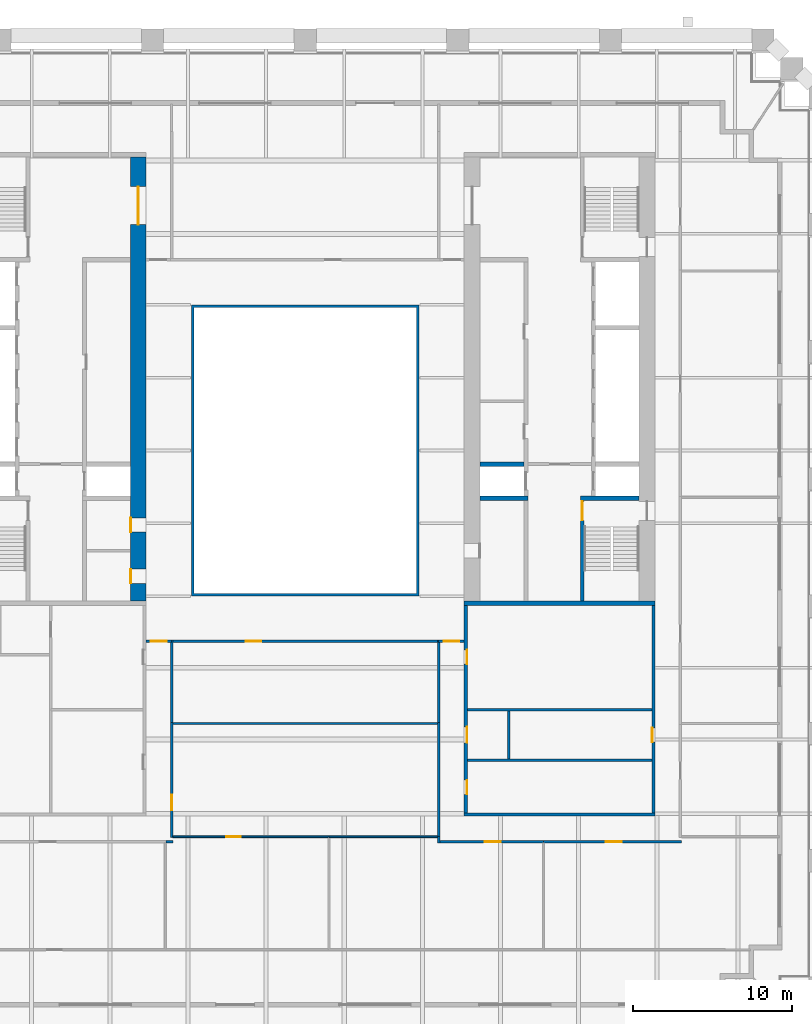
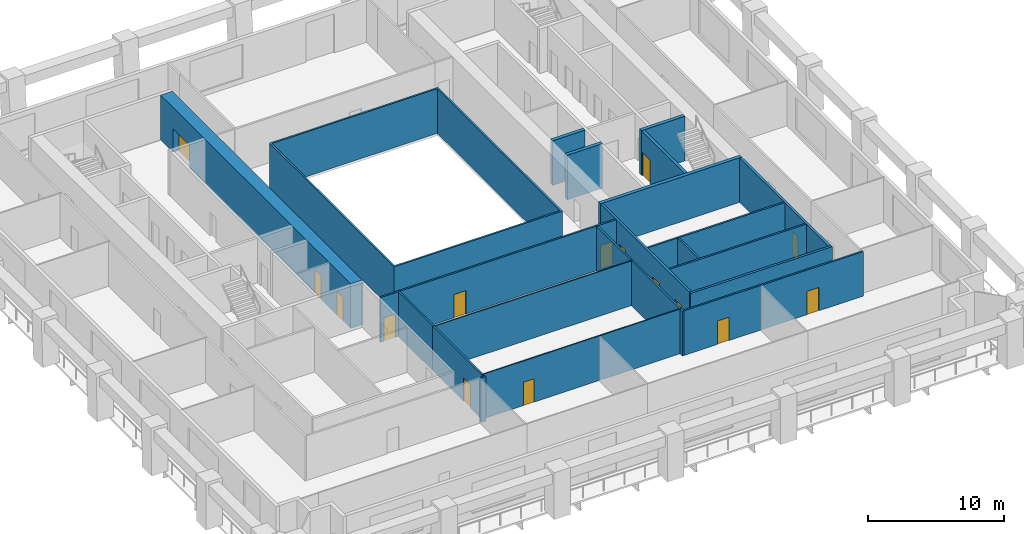
# One storey, part 5 of 10: 27 walls, 15 doors, 15 openings.
"""IFC4 building model written with IfcOpenShell, lengths in metres."""

from ifc_helpers import new_model, si_unit, direction, frame, frame_2d, origin, place, context, subcontext, project, spatial, polyline, rectangle, outline, extrude, material, layer, layer_set, type_object, element, fill, save


model = new_model("IFC4")

# Units and contexts
model_context = context("Model", 3, precision=1e-05, world=origin(), true_north=direction((0.0, 1.0)))
body_context = subcontext(model_context, "Body", "Model", "MODEL_VIEW")
ifc_project = project(units=[si_unit("LENGTHUNIT", "METRE"), si_unit("AREAUNIT", "SQUARE_METRE"), si_unit("VOLUMEUNIT", "CUBIC_METRE"), si_unit("PLANEANGLEUNIT", "RADIAN"), si_unit("MASSUNIT", "GRAM", prefix="KILO")], contexts=[model_context])

# Site, building, storey
site_placement = place(None, origin())
site = spatial("IfcSite", under=ifc_project, at=site_placement, CompositionType="ELEMENT")
building_placement = place(site_placement, origin())
building = spatial("IfcBuilding", under=site, at=building_placement, Name="Ogive Exchange Tower", CompositionType="ELEMENT")
storey_placement = place(building_placement, frame((0.0, 0.0, 48.0)))
storey = spatial("IfcBuildingStorey", under=building, at=storey_placement, Name="L09", CompositionType="ELEMENT", Elevation=48.0)

# Walls
ifc_material_1 = material(Name="Gypsum board partition")
ifc_layer_1 = layer(ifc_material_1, 0.14990234375)
ifc_layer_set_1 = layer_set([ifc_layer_1], Name="Core room partition 150 gypsum")
wall_type_1 = type_object("IfcWallType", Name="Core room partition 150 gypsum", PredefinedType="PARTITIONING", material=ifc_layer_set_1)
for number, where, z_axis, x_axis, name in (
    (1, (10.199951171875, -9.300048828125, 0.0), (0.0, 0.0, 1.0), (1.0, 0.0, 0.0), "E annex S cross wall"),
    (2, (10.199951171875, -12.47509765625, 0.0), (0.0, 0.0, 1.0), (1.0, 0.0, 0.0), "E annex S wc strip wall 00"),
):
    element("IfcWall", number, at=place(storey_placement, frame(where, z_axis=z_axis, x_axis=x_axis)), inside=storey, type_object=wall_type_1, Name=name, PredefinedType="PARTITIONING", context=body_context, shape_type="SweptSolid", body=[
        extrude(rectangle(XDim=11.60009765625, YDim=0.14990234375, at=frame_2d((5.800048828125, 0.0))), origin(), (0.0, 0.0, 1.0), 4.0),
    ])
wall_1_placement = place(storey_placement, frame((12.800048828125, -12.39990234375, 0.0), z_axis=(0.0, 0.0, 1.0), x_axis=(0.0, 1.0, 0.0)))
element("IfcWall", 3, at=wall_1_placement, inside=storey, type_object=wall_type_1, Name="E annex S wc partition 00", PredefinedType="PARTITIONING", context=body_context, shape_type="SweptSolid", body=[
    extrude(rectangle(XDim=3.02490234375, YDim=0.14990234375, at=frame_2d((1.512451171875, 0.0))), origin(), (0.0, 0.0, 1.0), 4.0),
])
ifc_material_2 = material(Name="Fire partition EI 60 150")
ifc_layer_2 = layer(ifc_material_2, 0.14990234375)
ifc_layer_set_2 = layer_set([ifc_layer_2], Name="Fire partition EI 60 150")
wall_type_2 = type_object("IfcWallType", Name="Fire partition EI 60 150", PredefinedType="PARTITIONING", material=ifc_layer_set_2)
wall_2_placement = place(storey_placement, frame((-8.324951171875, -17.60009765625, 0.0), z_axis=(0.0, 0.0, 1.0), x_axis=(-1.0, 0.0, 0.0)))
element("IfcWall", 4, at=wall_2_placement, inside=storey, type_object=wall_type_2, Name="L09-PWL-017", PredefinedType="PARTITIONING", context=body_context, shape_type="SweptSolid", body=[
    extrude(rectangle(XDim=0.425048828125, YDim=0.14990234375, at=frame_2d((0.21240234375, 0.0))), origin(), (0.0, 0.0, 1.0), 4.0),
])

# Wall, opening, door
wall_3_placement = place(storey_placement, frame((-8.39990234375, -10.1201171875, 0.0), z_axis=(0.0, 0.0, 1.0), x_axis=(0.0, -1.0, 0.0)))
wall_3 = element("IfcWall", 5, at=wall_3_placement, inside=storey, type_object=wall_type_2, Name="L09-PWL-018", PredefinedType="PARTITIONING", context=body_context, shape_type="SweptSolid", body=[
    extrude(rectangle(XDim=7.219970703125, YDim=0.14990234375, at=frame_2d((3.60986328125, 0.0))), origin(), (0.0, 0.0, 1.0), 4.0),
])
opening_1_placement = place(wall_3_placement, frame((4.52001953125, 0.0, 0.0)))
opening_1 = element("IfcOpeningElement", 6, at=opening_1_placement, cuts=wall_3, Name="Opening L09-I12", PredefinedType="OPENING", context=body_context, shape_type="SweptSolid", body=[
    extrude(rectangle(XDim=1.0, YDim=2.10009765625, at=frame_2d((0.5, 1.050048828125))), frame((0.0, 0.0849609375, 0.0), z_axis=(0.0, -1.0, 0.0), x_axis=(1.0, 0.0, 0.0)), (0.0, 0.0, 1.0), 0.169921875),
])
ifc_material_3 = material(Name="Fire door FD 30S 1000 x 2100")
door_type_1 = type_object("IfcDoorType", Name="Fire door FD 30S 1000 x 2100", OperationType="NOTDEFINED", PredefinedType="DOOR", material=ifc_material_3)
door_1_placement = place(opening_1_placement, origin())
door_1 = element("IfcDoor", 7, at=door_1_placement, inside=storey, type_object=door_type_1, Name="L09-IDR-012", ObjectType="DT3", OperationType="SINGLE_SWING_LEFT", OverallHeight=2.10009765625, OverallWidth=1.0, PredefinedType="DOOR", context=body_context, shape_type="SweptSolid", body=[
    extrude(rectangle(XDim=1.0, YDim=2.10009765625, at=frame_2d((0.5, 1.050048828125))), frame((0.0, 0.02490234375, 0.0), z_axis=(0.0, -1.0, 0.0), x_axis=(1.0, 0.0, 0.0)), (0.0, 0.0, 1.0), 0.050048828125),
])
fill(opening_1, door_1)

# Walls
wall_4_placement = place(storey_placement, frame((-8.39990234375, -4.925048828125, 0.0), z_axis=(0.0, 0.0, 1.0), x_axis=(0.0, -1.0, 0.0)))
element("IfcWall", 8, at=wall_4_placement, inside=storey, type_object=wall_type_2, Name="L09-PWL-019", PredefinedType="PARTITIONING", context=body_context, shape_type="SweptSolid", body=[
    extrude(rectangle(XDim=5.195068359375, YDim=0.14990234375, at=frame_2d((2.59765625, 0.0))), origin(), (0.0, 0.0, 1.0), 4.0),
])
wall_5_placement = place(storey_placement, frame((8.39990234375, -17.675048828125, 0.0), z_axis=(0.0, 0.0, 1.0), x_axis=(0.0, 1.0, 0.0)))
element("IfcWall", 9, at=wall_5_placement, inside=storey, type_object=wall_type_2, Name="L09-PWL-025", PredefinedType="PARTITIONING", context=body_context, shape_type="SweptSolid", body=[
    extrude(rectangle(XDim=0.385009765625, YDim=0.14990234375, at=frame_2d((0.1923828125, 0.0))), origin(), (0.0, 0.0, 1.0), 4.0),
])
wall_6_placement = place(storey_placement, frame((8.39990234375, -17.2900390625, 0.0), z_axis=(0.0, 0.0, 1.0), x_axis=(0.0, 1.0, 0.0)))
element("IfcWall", 10, at=wall_6_placement, inside=storey, type_object=wall_type_2, Name="L09-PWL-027", PredefinedType="PARTITIONING", context=body_context, shape_type="SweptSolid", body=[
    extrude(rectangle(XDim=7.169921875, YDim=0.14990234375, at=frame_2d((3.5849609375, 0.0))), origin(), (0.0, 0.0, 1.0), 4.0),
])
wall_7_placement = place(storey_placement, frame((8.39990234375, -10.1201171875, 0.0), z_axis=(0.0, 0.0, 1.0), x_axis=(0.0, 1.0, 0.0)))
element("IfcWall", 11, at=wall_7_placement, inside=storey, type_object=wall_type_2, Name="L09-PWL-029", PredefinedType="PARTITIONING", context=body_context, shape_type="SweptSolid", body=[
    extrude(rectangle(XDim=5.195068359375, YDim=0.14990234375, at=frame_2d((2.59765625, 0.0))), origin(), (0.0, 0.0, 1.0), 4.0),
])

# Wall, opening, door
wall_8_placement = place(storey_placement, frame((8.324951171875, -5.0, 0.0), z_axis=(0.0, 0.0, 1.0), x_axis=(-1.0, 0.0, 0.0)))
wall_8 = element("IfcWall", 12, at=wall_8_placement, inside=storey, type_object=wall_type_2, Name="L09-PWL-030", PredefinedType="PARTITIONING", context=body_context, shape_type="SweptSolid", body=[
    extrude(rectangle(XDim=16.64990234375, YDim=0.14990234375, at=frame_2d((8.324951171875, 0.0))), origin(), (0.0, 0.0, 1.0), 4.0),
])
opening_2_placement = place(wall_8_placement, frame((11.074951171875, 0.0, 0.0)))
opening_2 = element("IfcOpeningElement", 13, at=opening_2_placement, cuts=wall_8, Name="Opening L09-I01", PredefinedType="OPENING", context=body_context, shape_type="SweptSolid", body=[
    extrude(rectangle(XDim=1.0, YDim=2.10009765625, at=frame_2d((0.5, 1.050048828125))), frame((0.0, 0.0849609375, 0.0), z_axis=(0.0, -1.0, 0.0), x_axis=(1.0, 0.0, 0.0)), (0.0, 0.0, 1.0), 0.169921875),
])
door_2_placement = place(opening_2_placement, origin())
door_2 = element("IfcDoor", 14, at=door_2_placement, inside=storey, type_object=door_type_1, Name="L09-IDR-001", ObjectType="DT3", OperationType="SINGLE_SWING_RIGHT", OverallHeight=2.10009765625, OverallWidth=1.0, PredefinedType="DOOR", context=body_context, shape_type="SweptSolid", body=[
    extrude(rectangle(XDim=1.0, YDim=2.10009765625, at=frame_2d((0.5, 1.050048828125))), frame((0.0, 0.02490234375, 0.0), z_axis=(0.0, -1.0, 0.0), x_axis=(1.0, 0.0, 0.0)), (0.0, 0.0, 1.0), 0.050048828125),
])
fill(opening_2, door_2)

wall_9_placement = place(storey_placement, frame((15.0, -17.60009765625, 0.0), z_axis=(0.0, 0.0, 1.0), x_axis=(-1.0, 0.0, 0.0)))
wall_9 = element("IfcWall", 15, at=wall_9_placement, inside=storey, type_object=wall_type_2, Name="L09-PWL-034", PredefinedType="PARTITIONING", context=body_context, shape_type="SweptSolid", body=[
    extrude(rectangle(XDim=6.52490234375, YDim=0.14990234375, at=frame_2d((3.262451171875, 0.0))), origin(), (0.0, 0.0, 1.0), 4.0),
])
opening_3_placement = place(wall_9_placement, frame((2.699951171875, 0.0, 0.0)))
opening_3 = element("IfcOpeningElement", 16, at=opening_3_placement, cuts=wall_9, Name="Opening L09-I14", PredefinedType="OPENING", context=body_context, shape_type="SweptSolid", body=[
    extrude(rectangle(XDim=1.0, YDim=2.10009765625, at=frame_2d((0.5, 1.050048828125))), frame((0.0, 0.0849609375, 0.0), z_axis=(0.0, -1.0, 0.0), x_axis=(1.0, 0.0, 0.0)), (0.0, 0.0, 1.0), 0.169921875),
])
door_3_placement = place(opening_3_placement, origin())
door_3 = element("IfcDoor", 17, at=door_3_placement, inside=storey, type_object=door_type_1, Name="L09-IDR-014", ObjectType="DT3", OperationType="SINGLE_SWING_RIGHT", OverallHeight=2.10009765625, OverallWidth=1.0, PredefinedType="DOOR", context=body_context, shape_type="SweptSolid", body=[
    extrude(rectangle(XDim=1.0, YDim=2.10009765625, at=frame_2d((0.5, 1.050048828125))), frame((0.0, 0.02490234375, 0.0), z_axis=(0.0, -1.0, 0.0), x_axis=(1.0, 0.0, 0.0)), (0.0, 0.0, 1.0), 0.050048828125),
])
fill(opening_3, door_3)

wall_10_placement = place(storey_placement, frame((23.675048828125, -17.60009765625, 0.0), z_axis=(0.0, 0.0, 1.0), x_axis=(-1.0, 0.0, 0.0)))
wall_10 = element("IfcWall", 18, at=wall_10_placement, inside=storey, type_object=wall_type_2, Name="L09-PWL-037", PredefinedType="PARTITIONING", context=body_context, shape_type="SweptSolid", body=[
    extrude(rectangle(XDim=8.675048828125, YDim=0.14990234375, at=frame_2d((4.33740234375, 0.0))), origin(), (0.0, 0.0, 1.0), 4.0),
])
opening_4_placement = place(wall_10_placement, frame((3.77490234375, 0.0, 0.0)))
opening_4 = element("IfcOpeningElement", 19, at=opening_4_placement, cuts=wall_10, Name="Opening L09-I16", PredefinedType="OPENING", context=body_context, shape_type="SweptSolid", body=[
    extrude(rectangle(XDim=1.0, YDim=2.10009765625, at=frame_2d((0.5, 1.050048828125))), frame((0.0, 0.0849609375, 0.0), z_axis=(0.0, -1.0, 0.0), x_axis=(1.0, 0.0, 0.0)), (0.0, 0.0, 1.0), 0.169921875),
])
door_4_placement = place(opening_4_placement, origin())
door_4 = element("IfcDoor", 20, at=door_4_placement, inside=storey, type_object=door_type_1, Name="L09-IDR-016", ObjectType="DT3", OperationType="SINGLE_SWING_RIGHT", OverallHeight=2.10009765625, OverallWidth=1.0, PredefinedType="DOOR", context=body_context, shape_type="SweptSolid", body=[
    extrude(rectangle(XDim=1.0, YDim=2.10009765625, at=frame_2d((0.5, 1.050048828125))), frame((0.0, 0.02490234375, 0.0), z_axis=(0.0, -1.0, 0.0), x_axis=(1.0, 0.0, 0.0)), (0.0, 0.0, 1.0), 0.050048828125),
])
fill(opening_4, door_4)

wall_11_placement = place(storey_placement, frame((-8.39990234375, -5.0, 0.0), z_axis=(0.0, 0.0, 1.0), x_axis=(-1.0, 0.0, 0.0)))
wall_11 = element("IfcWall", 21, at=wall_11_placement, inside=storey, type_object=wall_type_2, Name="L09-PWL-048", PredefinedType="PARTITIONING", context=body_context, shape_type="SweptSolid", body=[
    extrude(rectangle(XDim=1.60009765625, YDim=0.14990234375, at=frame_2d((0.800048828125, 0.0))), origin(), (0.0, 0.0, 1.0), 4.0),
])
opening_5_placement = place(wall_11_placement, frame((0.300048828125, 0.0, 0.0)))
opening_5 = element("IfcOpeningElement", 22, at=opening_5_placement, cuts=wall_11, Name="Opening L09-I18", PredefinedType="OPENING", context=body_context, shape_type="SweptSolid", body=[
    extrude(rectangle(XDim=1.0, YDim=2.10009765625, at=frame_2d((0.5, 1.050048828125))), frame((0.0, 0.0849609375, 0.0), z_axis=(0.0, -1.0, 0.0), x_axis=(1.0, 0.0, 0.0)), (0.0, 0.0, 1.0), 0.169921875),
])
door_5_placement = place(opening_5_placement, origin())
door_5 = element("IfcDoor", 23, at=door_5_placement, inside=storey, type_object=door_type_1, Name="L09-IDR-018", ObjectType="DT3", OperationType="SINGLE_SWING_LEFT", OverallHeight=2.10009765625, OverallWidth=1.0, PredefinedType="DOOR", context=body_context, shape_type="SweptSolid", body=[
    extrude(rectangle(XDim=1.0, YDim=2.10009765625, at=frame_2d((0.5, 1.050048828125))), frame((0.0, 0.02490234375, 0.0), z_axis=(0.0, -1.0, 0.0), x_axis=(1.0, 0.0, 0.0)), (0.0, 0.0, 1.0), 0.050048828125),
])
fill(opening_5, door_5)

wall_12_placement = place(storey_placement, frame((10.0, -5.0, 0.0), z_axis=(0.0, 0.0, 1.0), x_axis=(-1.0, 0.0, 0.0)))
wall_12 = element("IfcWall", 24, at=wall_12_placement, inside=storey, type_object=wall_type_2, Name="L09-PWL-050", PredefinedType="PARTITIONING", context=body_context, shape_type="SweptSolid", body=[
    extrude(rectangle(XDim=1.60009765625, YDim=0.14990234375, at=frame_2d((0.800048828125, 0.0))), origin(), (0.0, 0.0, 1.0), 4.0),
])
opening_6_placement = place(wall_12_placement, frame((0.300048828125, 0.0, 0.0)))
opening_6 = element("IfcOpeningElement", 25, at=opening_6_placement, cuts=wall_12, Name="Opening L09-I20", PredefinedType="OPENING", context=body_context, shape_type="SweptSolid", body=[
    extrude(rectangle(XDim=1.0, YDim=2.10009765625, at=frame_2d((0.5, 1.050048828125))), frame((0.0, 0.0849609375, 0.0), z_axis=(0.0, -1.0, 0.0), x_axis=(1.0, 0.0, 0.0)), (0.0, 0.0, 1.0), 0.169921875),
])
door_6_placement = place(opening_6_placement, origin())
door_6 = element("IfcDoor", 26, at=door_6_placement, inside=storey, type_object=door_type_1, Name="L09-IDR-020", ObjectType="DT3", OperationType="SINGLE_SWING_RIGHT", OverallHeight=2.10009765625, OverallWidth=1.0, PredefinedType="DOOR", context=body_context, shape_type="SweptSolid", body=[
    extrude(rectangle(XDim=1.0, YDim=2.10009765625, at=frame_2d((0.5, 1.050048828125))), frame((0.0, 0.02490234375, 0.0), z_axis=(0.0, -1.0, 0.0), x_axis=(1.0, 0.0, 0.0)), (0.0, 0.0, 1.0), 0.050048828125),
])
fill(opening_6, door_6)

# Wall
ifc_material_4 = material(Name="Fire-resisting glass in steel frame", Category="steel")
ifc_layer_3 = layer(ifc_material_4, 0.14990234375)
ifc_layer_set_3 = layer_set([ifc_layer_3], Name="Fire-rated glazed wall 150")
wall_type_3 = type_object("IfcWallType", Name="Fire-rated glazed wall 150", PredefinedType="STANDARD", material=ifc_layer_set_3)
wall_13_placement = place(storey_placement, origin())
element("IfcWall", 27, at=wall_13_placement, inside=storey, type_object=wall_type_3, Name="Nave enclosure wall", PredefinedType="STANDARD", context=body_context, shape_type="SweptSolid", body=[
    extrude(outline(polyline([(-7.14990234375, -2.14990234375), (7.14990234375, -2.14990234375), (7.14990234375, 16.14990234375), (-7.14990234375, 16.14990234375), (-7.14990234375, -2.14990234375)]), holes=[polyline([(-7.0, -2.0), (-7.0, 16.0), (7.0, 16.0), (7.0, -2.0), (-7.0, -2.0)])]), origin(), (0.0, 0.0, 1.0), 4.0),
])

# Wall, opening, door
ifc_material_5 = material(Name="Partition 100 gypsum")
ifc_layer_4 = layer(ifc_material_5, 0.10009765625)
ifc_layer_set_4 = layer_set([ifc_layer_4], Name="Partition 100 gypsum")
wall_type_4 = type_object("IfcWallType", Name="Partition 100 gypsum", PredefinedType="PARTITIONING", material=ifc_layer_set_4)
wall_14_placement = place(storey_placement, frame((1.550048828125, -17.2900390625, 0.0), z_axis=(0.0, 0.0, 1.0), x_axis=(-1.0, 0.0, 0.0)))
wall_14 = element("IfcWall", 28, at=wall_14_placement, inside=storey, type_object=wall_type_4, Name="L09-PWL-023", PredefinedType="PARTITIONING", context=body_context, shape_type="SweptSolid", body=[
    extrude(rectangle(XDim=9.875, YDim=0.10009765625, at=frame_2d((4.9375, 0.0))), origin(), (0.0, 0.0, 1.0), 4.0),
])
opening_7_placement = place(wall_14_placement, frame((5.60009765625, 0.0, 0.0)))
opening_7 = element("IfcOpeningElement", 29, at=opening_7_placement, cuts=wall_14, Name="Opening L09-I13", PredefinedType="OPENING", context=body_context, shape_type="SweptSolid", body=[
    extrude(rectangle(XDim=0.89990234375, YDim=2.10009765625, at=frame_2d((0.449951171875, 1.050048828125))), frame((0.0, 0.06005859375, 0.0), z_axis=(0.0, -1.0, 0.0), x_axis=(1.0, 0.0, 0.0)), (0.0, 0.0, 1.0), 0.1201171875),
])
ifc_material_6 = material(Name="Door 900 x 2100")
door_type_2 = type_object("IfcDoorType", Name="Door 900 x 2100", OperationType="NOTDEFINED", PredefinedType="DOOR", material=ifc_material_6)
door_7_placement = place(opening_7_placement, origin())
door_7 = element("IfcDoor", 30, at=door_7_placement, inside=storey, type_object=door_type_2, Name="L09-IDR-013", ObjectType="DT1", OperationType="SINGLE_SWING_LEFT", OverallHeight=2.10009765625, OverallWidth=0.89990234375, PredefinedType="DOOR", context=body_context, shape_type="SweptSolid", body=[
    extrude(rectangle(XDim=0.89990234375, YDim=2.10009765625, at=frame_2d((0.449951171875, 1.050048828125))), frame((0.0, 0.02490234375, 0.0), z_axis=(0.0, -1.0, 0.0), x_axis=(1.0, 0.0, 0.0)), (0.0, 0.0, 1.0), 0.050048828125),
])
fill(opening_7, door_7)

# Walls
wall_15_placement = place(storey_placement, frame((8.324951171875, -17.2900390625, 0.0), z_axis=(0.0, 0.0, 1.0), x_axis=(-1.0, 0.0, 0.0)))
element("IfcWall", 31, at=wall_15_placement, inside=storey, type_object=wall_type_4, Name="L09-PWL-026", PredefinedType="PARTITIONING", context=body_context, shape_type="SweptSolid", body=[
    extrude(rectangle(XDim=6.824951171875, YDim=0.10009765625, at=frame_2d((3.41259765625, 0.0))), origin(), (0.0, 0.0, 1.0), 4.0),
])
wall_16_placement = place(storey_placement, frame((8.324951171875, -10.169921875, 0.0), z_axis=(0.0, 0.0, 1.0), x_axis=(-1.0, 0.0, 0.0)))
element("IfcWall", 32, at=wall_16_placement, inside=storey, type_object=wall_type_4, Name="L09-PWL-028", PredefinedType="PARTITIONING", context=body_context, shape_type="SweptSolid", body=[
    extrude(rectangle(XDim=16.64990234375, YDim=0.10009765625, at=frame_2d((8.324951171875, 0.0))), origin(), (0.0, 0.0, 1.0), 4.0),
])

# Wall, openings, doors
ifc_material_7 = material(Name="Concrete C70/85", Category="concrete")
ifc_layer_5 = layer(ifc_material_7, 1.0)
ifc_layer_set_5 = layer_set([ifc_layer_5], Name="RC core wall 1000 C70/85")
wall_type_5 = type_object("IfcWallType", Name="RC core wall 1000 C70/85", PredefinedType="SHEAR", material=ifc_layer_set_5)
wall_17_placement = place(storey_placement, frame((-10.5, -2.449951171875, 0.0), z_axis=(0.0, 0.0, 1.0), x_axis=(0.0, 1.0, 0.0)))
wall_17 = element("IfcWall", 33, at=wall_17_placement, inside=storey, type_object=wall_type_5, Name="W inner wall", PredefinedType="SHEAR", context=body_context, shape_type="SweptSolid", body=[
    extrude(rectangle(XDim=27.89990234375, YDim=1.0, at=frame_2d((13.949951171875, 0.0))), origin(), (0.0, 0.0, 1.0), 4.0),
])
opening_8_placement = place(wall_17_placement, frame((23.64990234375, 0.0, 0.0)))
opening_8 = element("IfcOpeningElement", 34, at=opening_8_placement, cuts=wall_17, Name="Opening L09-C11", PredefinedType="OPENING", context=body_context, shape_type="SweptSolid", body=[
    extrude(rectangle(XDim=2.39990234375, YDim=2.10009765625, at=frame_2d((1.199951171875, 1.050048828125))), frame((0.0, 0.510009765625, 0.0), z_axis=(0.0, -1.0, 0.0), x_axis=(1.0, 0.0, 0.0)), (0.0, 0.0, 1.0), 1.02001953125),
])
opening_9_placement = place(wall_17_placement, frame((1.08740234375, 0.0, 0.0)))
opening_9 = element("IfcOpeningElement", 35, at=opening_9_placement, cuts=wall_17, Name="Opening L09-C16", PredefinedType="OPENING", context=body_context, shape_type="SweptSolid", body=[
    extrude(rectangle(XDim=0.89990234375, YDim=2.10009765625, at=frame_2d((0.449951171875, 1.050048828125))), frame((0.0, 0.510009765625, 0.0), z_axis=(0.0, -1.0, 0.0), x_axis=(1.0, 0.0, 0.0)), (0.0, 0.0, 1.0), 1.02001953125),
])
opening_10_placement = place(wall_17_placement, frame((4.3125, 0.0, 0.0)))
opening_10 = element("IfcOpeningElement", 36, at=opening_10_placement, cuts=wall_17, Name="Opening L09-C17", PredefinedType="OPENING", context=body_context, shape_type="SweptSolid", body=[
    extrude(rectangle(XDim=0.89990234375, YDim=2.10009765625, at=frame_2d((0.449951171875, 1.050048828125))), frame((0.0, 0.510009765625, 0.0), z_axis=(0.0, -1.0, 0.0), x_axis=(1.0, 0.0, 0.0)), (0.0, 0.0, 1.0), 1.02001953125),
])
ifc_material_8 = material(Name="Timber fire door", Category="wood")
door_type_3 = type_object("IfcDoorType", Name="Core room door FD30S 900 x 2100", OperationType="NOTDEFINED", PredefinedType="DOOR", material=ifc_material_8)
door_8_placement = place(opening_9_placement, origin())
door_8 = element("IfcDoor", 37, at=door_8_placement, inside=storey, type_object=door_type_3, Name="Core room door", ObjectType="CD6", OperationType="SINGLE_SWING_RIGHT", OverallHeight=2.10009765625, OverallWidth=0.89990234375, PredefinedType="DOOR", context=body_context, shape_type="SweptSolid", body=[
    extrude(rectangle(XDim=0.89990234375, YDim=2.10009765625, at=frame_2d((0.449951171875, 1.050048828125))), frame((0.0, 0.5, 0.0), z_axis=(0.0, -1.0, 0.0), x_axis=(1.0, 0.0, 0.0)), (0.0, 0.0, 1.0), 0.050048828125),
])
fill(opening_9, door_8)
ifc_material_9 = material(Name="Glazed steel fire door", Category="steel")
door_type_4 = type_object("IfcDoorType", Name="Lift lobby double door FD60 2400 x 2100", OperationType="DOUBLE_DOOR_SINGLE_SWING", PredefinedType="DOOR", material=ifc_material_9)
door_9_placement = place(opening_8_placement, origin())
door_9 = element("IfcDoor", 38, at=door_9_placement, inside=storey, type_object=door_type_4, Name="Lift lobby double door", ObjectType="CD4", OperationType="DOUBLE_DOOR_SINGLE_SWING", OverallHeight=2.10009765625, OverallWidth=2.39990234375, PredefinedType="DOOR", context=body_context, shape_type="SweptSolid", body=[
    extrude(rectangle(XDim=2.39990234375, YDim=2.10009765625, at=frame_2d((1.199951171875, 1.050048828125))), frame((0.0, 0.02490234375, 0.0), z_axis=(0.0, -1.0, 0.0), x_axis=(1.0, 0.0, 0.0)), (0.0, 0.0, 1.0), 0.050048828125),
])
fill(opening_8, door_9)
ifc_material_10 = material(Name="Steel fire door", Category="steel")
door_type_5 = type_object("IfcDoorType", Name="Riser door FD60 900 x 2100", OperationType="NOTDEFINED", PredefinedType="DOOR", material=ifc_material_10)
door_10_placement = place(opening_10_placement, origin())
door_10 = element("IfcDoor", 39, at=door_10_placement, inside=storey, type_object=door_type_5, Name="Riser door", ObjectType="CD2", OperationType="SINGLE_SWING_RIGHT", OverallHeight=2.10009765625, OverallWidth=0.89990234375, PredefinedType="DOOR", context=body_context, shape_type="SweptSolid", body=[
    extrude(rectangle(XDim=0.89990234375, YDim=2.10009765625, at=frame_2d((0.449951171875, 1.050048828125))), frame((0.0, 0.5, 0.0), z_axis=(0.0, -1.0, 0.0), x_axis=(1.0, 0.0, 0.0)), (0.0, 0.0, 1.0), 0.050048828125),
])
fill(opening_10, door_10)

# Wall, opening, door
ifc_layer_6 = layer(ifc_material_7, 0.199951171875)
ifc_layer_set_6 = layer_set([ifc_layer_6], Name="RC core wall 200 C70/85")
wall_type_6 = type_object("IfcWallType", Name="RC core wall 200 C70/85", PredefinedType="SHEAR", material=ifc_layer_set_6)
wall_18_placement = place(storey_placement, frame((21.89990234375, -15.800048828125, 0.0), z_axis=(0.0, 0.0, 1.0), x_axis=(0.0, 1.0, 0.0)))
wall_18 = element("IfcWall", 40, at=wall_18_placement, inside=storey, type_object=wall_type_6, Name="E annex S outer wall", PredefinedType="SHEAR", context=body_context, shape_type="SweptSolid", body=[
    extrude(rectangle(XDim=13.050048828125, YDim=0.199951171875, at=frame_2d((6.52490234375, 0.0))), origin(), (0.0, 0.0, 1.0), 4.0),
])
opening_11_placement = place(wall_18_placement, frame((4.46240234375, 0.0, 0.0)))
opening_11 = element("IfcOpeningElement", 41, at=opening_11_placement, cuts=wall_18, Name="Opening L09-C42", PredefinedType="OPENING", context=body_context, shape_type="SweptSolid", body=[
    extrude(rectangle(XDim=0.89990234375, YDim=2.10009765625, at=frame_2d((0.449951171875, 1.050048828125))), frame((0.0, 0.10986328125, 0.0), z_axis=(0.0, -1.0, 0.0), x_axis=(1.0, 0.0, 0.0)), (0.0, 0.0, 1.0), 0.219970703125),
])
door_11_placement = place(opening_11_placement, origin())
door_11 = element("IfcDoor", 42, at=door_11_placement, inside=storey, type_object=door_type_3, Name="Core room door", ObjectType="CD6", OperationType="SINGLE_SWING_RIGHT", OverallHeight=2.10009765625, OverallWidth=0.89990234375, PredefinedType="DOOR", context=body_context, shape_type="SweptSolid", body=[
    extrude(rectangle(XDim=0.89990234375, YDim=2.10009765625, at=frame_2d((0.449951171875, 1.050048828125))), frame((0.0, 0.10009765625, 0.0), z_axis=(0.0, -1.0, 0.0), x_axis=(1.0, 0.0, 0.0)), (0.0, 0.0, 1.0), 0.050048828125),
])
fill(opening_11, door_11)

# Wall, openings, doors
wall_19_placement = place(storey_placement, frame((10.10009765625, -15.800048828125, 0.0), z_axis=(0.0, 0.0, 1.0), x_axis=(0.0, 1.0, 0.0)))
wall_19 = element("IfcWall", 43, at=wall_19_placement, inside=storey, type_object=wall_type_6, Name="E annex S inner wall", PredefinedType="SHEAR", context=body_context, shape_type="SweptSolid", body=[
    extrude(rectangle(XDim=13.050048828125, YDim=0.199951171875, at=frame_2d((6.52490234375, 0.0))), origin(), (0.0, 0.0, 1.0), 4.0),
])
opening_12_placement = place(wall_19_placement, frame((1.175048828125, 0.0, 0.0)))
opening_12 = element("IfcOpeningElement", 44, at=opening_12_placement, cuts=wall_19, Name="Opening L09-C40", PredefinedType="OPENING", context=body_context, shape_type="SweptSolid", body=[
    extrude(rectangle(XDim=0.89990234375, YDim=2.10009765625, at=frame_2d((0.449951171875, 1.050048828125))), frame((0.0, 0.10986328125, 0.0), z_axis=(0.0, -1.0, 0.0), x_axis=(1.0, 0.0, 0.0)), (0.0, 0.0, 1.0), 0.219970703125),
])
opening_13_placement = place(wall_19_placement, frame((4.41259765625, 0.0, 0.0)))
opening_13 = element("IfcOpeningElement", 45, at=opening_13_placement, cuts=wall_19, Name="Opening L09-C41", PredefinedType="OPENING", context=body_context, shape_type="SweptSolid", body=[
    extrude(rectangle(XDim=1.0, YDim=2.10009765625, at=frame_2d((0.5, 1.050048828125))), frame((0.0, 0.10986328125, 0.0), z_axis=(0.0, -1.0, 0.0), x_axis=(1.0, 0.0, 0.0)), (0.0, 0.0, 1.0), 0.219970703125),
])
opening_14_placement = place(wall_19_placement, frame((9.362548828125, 0.0, 0.0)))
opening_14 = element("IfcOpeningElement", 46, at=opening_14_placement, cuts=wall_19, Name="Opening L09-C43", PredefinedType="OPENING", context=body_context, shape_type="SweptSolid", body=[
    extrude(rectangle(XDim=0.89990234375, YDim=2.10009765625, at=frame_2d((0.449951171875, 1.050048828125))), frame((0.0, 0.10986328125, 0.0), z_axis=(0.0, -1.0, 0.0), x_axis=(1.0, 0.0, 0.0)), (0.0, 0.0, 1.0), 0.219970703125),
])
door_type_6 = type_object("IfcDoorType", Name="Accessible WC door FD30S 1000 x 2100", OperationType="NOTDEFINED", PredefinedType="DOOR", material=ifc_material_8)
door_12_placement = place(opening_13_placement, frame((1.0, -0.14990234375, 0.0), z_axis=(0.0, 0.0, 1.0), x_axis=(-1.0, 0.0, 0.0)))
door_12 = element("IfcDoor", 47, at=door_12_placement, inside=storey, type_object=door_type_6, Name="Accessible WC door", ObjectType="CD7", OperationType="SINGLE_SWING_LEFT", OverallHeight=2.10009765625, OverallWidth=1.0, PredefinedType="DOOR", context=body_context, shape_type="SweptSolid", body=[
    extrude(rectangle(XDim=1.0, YDim=2.10009765625, at=frame_2d((0.5, 1.050048828125))), frame((0.0, -0.0498046875, 0.0), z_axis=(0.0, -1.0, 0.0), x_axis=(1.0, 0.0, 0.0)), (0.0, 0.0, 1.0), 0.050048828125),
])
fill(opening_13, door_12)
door_13_placement = place(opening_12_placement, frame((0.89990234375, -0.14990234375, 0.0), z_axis=(0.0, 0.0, 1.0), x_axis=(-1.0, 0.0, 0.0)))
door_13 = element("IfcDoor", 48, at=door_13_placement, inside=storey, type_object=door_type_5, Name="Riser door", ObjectType="CD2", OperationType="SINGLE_SWING_LEFT", OverallHeight=2.10009765625, OverallWidth=0.89990234375, PredefinedType="DOOR", context=body_context, shape_type="SweptSolid", body=[
    extrude(rectangle(XDim=0.89990234375, YDim=2.10009765625, at=frame_2d((0.449951171875, 1.050048828125))), frame((0.0, -0.0498046875, 0.0), z_axis=(0.0, -1.0, 0.0), x_axis=(1.0, 0.0, 0.0)), (0.0, 0.0, 1.0), 0.050048828125),
])
fill(opening_12, door_13)
door_14_placement = place(opening_14_placement, frame((0.89990234375, -0.14990234375, 0.0), z_axis=(0.0, 0.0, 1.0), x_axis=(-1.0, 0.0, 0.0)))
door_14 = element("IfcDoor", 49, at=door_14_placement, inside=storey, type_object=door_type_5, Name="Riser door", ObjectType="CD2", OperationType="SINGLE_SWING_LEFT", OverallHeight=2.10009765625, OverallWidth=0.89990234375, PredefinedType="DOOR", context=body_context, shape_type="SweptSolid", body=[
    extrude(rectangle(XDim=0.89990234375, YDim=2.10009765625, at=frame_2d((0.449951171875, 1.050048828125))), frame((0.0, -0.0498046875, 0.0), z_axis=(0.0, -1.0, 0.0), x_axis=(1.0, 0.0, 0.0)), (0.0, 0.0, 1.0), 0.050048828125),
])
fill(opening_14, door_14)

# Wall
wall_20_placement = place(storey_placement, frame((10.0, -15.89990234375, 0.0), z_axis=(0.0, 0.0, 1.0), x_axis=(1.0, 0.0, 0.0)))
element("IfcWall", 50, at=wall_20_placement, inside=storey, type_object=wall_type_6, Name="E annex S end wall", PredefinedType="SHEAR", context=body_context, shape_type="SweptSolid", body=[
    extrude(rectangle(XDim=12.0, YDim=0.199951171875, at=frame_2d((6.0, 0.0))), origin(), (0.0, 0.0, 1.0), 4.0),
])

# Wall, opening, door
ifc_layer_7 = layer(ifc_material_7, 0.25)
ifc_layer_set_7 = layer_set([ifc_layer_7], Name="RC core wall 250 C70/85")
wall_type_7 = type_object("IfcWallType", Name="RC core wall 250 C70/85", PredefinedType="SHEAR", material=ifc_layer_set_7)
wall_21_placement = place(storey_placement, frame((17.425048828125, -2.449951171875, 0.0), z_axis=(0.0, 0.0, 1.0), x_axis=(0.0, 1.0, 0.0)))
wall_21 = element("IfcWall", 51, at=wall_21_placement, inside=storey, type_object=wall_type_7, Name="E stair S front wall", PredefinedType="SHEAR", context=body_context, shape_type="SweptSolid", body=[
    extrude(rectangle(XDim=6.300048828125, YDim=0.25, at=frame_2d((3.14990234375, 0.0))), origin(), (0.0, 0.0, 1.0), 4.0),
])
opening_15_placement = place(wall_21_placement, frame((5.050048828125, 0.0, 0.0)))
opening_15 = element("IfcOpeningElement", 52, at=opening_15_placement, cuts=wall_21, Name="Opening L09-C35", PredefinedType="OPENING", context=body_context, shape_type="SweptSolid", body=[
    extrude(rectangle(XDim=1.199951171875, YDim=2.10009765625, at=frame_2d((0.60009765625, 1.050048828125))), frame((0.0, 0.135009765625, 0.0), z_axis=(0.0, -1.0, 0.0), x_axis=(1.0, 0.0, 0.0)), (0.0, 0.0, 1.0), 0.27001953125),
])
door_type_7 = type_object("IfcDoorType", Name="Stair door FD90 1200 x 2100", OperationType="NOTDEFINED", PredefinedType="DOOR", material=ifc_material_10)
door_15_placement = place(opening_15_placement, frame((1.199951171875, 0.0, 0.0), z_axis=(0.0, 0.0, 1.0), x_axis=(-1.0, 0.0, 0.0)))
door_15 = element("IfcDoor", 53, at=door_15_placement, inside=storey, type_object=door_type_7, Name="Stair door", ObjectType="CD5", OperationType="SINGLE_SWING_RIGHT", OverallHeight=2.10009765625, OverallWidth=1.199951171875, PredefinedType="DOOR", context=body_context, shape_type="SweptSolid", body=[
    extrude(rectangle(XDim=1.199951171875, YDim=2.10009765625, at=frame_2d((0.60009765625, 1.050048828125))), frame((0.0, 0.02490234375, 0.0), z_axis=(0.0, -1.0, 0.0), x_axis=(1.0, 0.0, 0.0)), (0.0, 0.0, 1.0), 0.050048828125),
])
fill(opening_15, door_15)

# Walls
ifc_layer_8 = layer(ifc_material_7, 0.300048828125)
ifc_layer_set_8 = layer_set([ifc_layer_8], Name="RC core wall 300 C70/85")
wall_type_8 = type_object("IfcWallType", Name="RC core wall 300 C70/85", PredefinedType="SHEAR", material=ifc_layer_set_8)
wall_22_placement = place(storey_placement, frame((10.0, -2.60009765625, 0.0), z_axis=(0.0, 0.0, 1.0), x_axis=(1.0, 0.0, 0.0)))
element("IfcWall", 54, at=wall_22_placement, inside=storey, type_object=wall_type_8, Name="E south end wall", PredefinedType="SHEAR", context=body_context, shape_type="SweptSolid", body=[
    extrude(rectangle(XDim=12.0, YDim=0.300048828125, at=frame_2d((6.0, 0.0))), origin(), (0.0, 0.0, 1.0), 4.0),
])
wall_23_placement = place(storey_placement, frame((17.300048828125, 4.0, 0.0), z_axis=(0.0, 0.0, 1.0), x_axis=(1.0, 0.0, 0.0)))
element("IfcWall", 55, at=wall_23_placement, inside=storey, type_object=wall_type_8, Name="E stair S north wall", PredefinedType="SHEAR", context=body_context, shape_type="SweptSolid", body=[
    extrude(rectangle(XDim=3.699951171875, YDim=0.300048828125, at=frame_2d((1.85009765625, 0.0))), origin(), (0.0, 0.0, 1.0), 4.0),
])
wall_24_placement = place(storey_placement, frame((11.0, 4.0, 0.0), z_axis=(0.0, 0.0, 1.0), x_axis=(1.0, 0.0, 0.0)))
element("IfcWall", 56, at=wall_24_placement, inside=storey, type_object=wall_type_8, Name="E row B divider 0", PredefinedType="SHEAR", context=body_context, shape_type="SweptSolid", body=[
    extrude(rectangle(XDim=3.0, YDim=0.300048828125, at=frame_2d((1.5, 0.0))), origin(), (0.0, 0.0, 1.0), 4.0),
])
wall_25_placement = place(storey_placement, frame((11.0, 6.142822265625, 0.0), z_axis=(0.0, 0.0, 1.0), x_axis=(1.0, 0.0, 0.0)))
element("IfcWall", 57, at=wall_25_placement, inside=storey, type_object=wall_type_8, Name="E row B divider 1", PredefinedType="SHEAR", context=body_context, shape_type="SweptSolid", body=[
    extrude(rectangle(XDim=2.75, YDim=0.300048828125, at=frame_2d((1.375, 0.0))), origin(), (0.0, 0.0, 1.0), 4.0),
])

save(model, "model.ifc")
